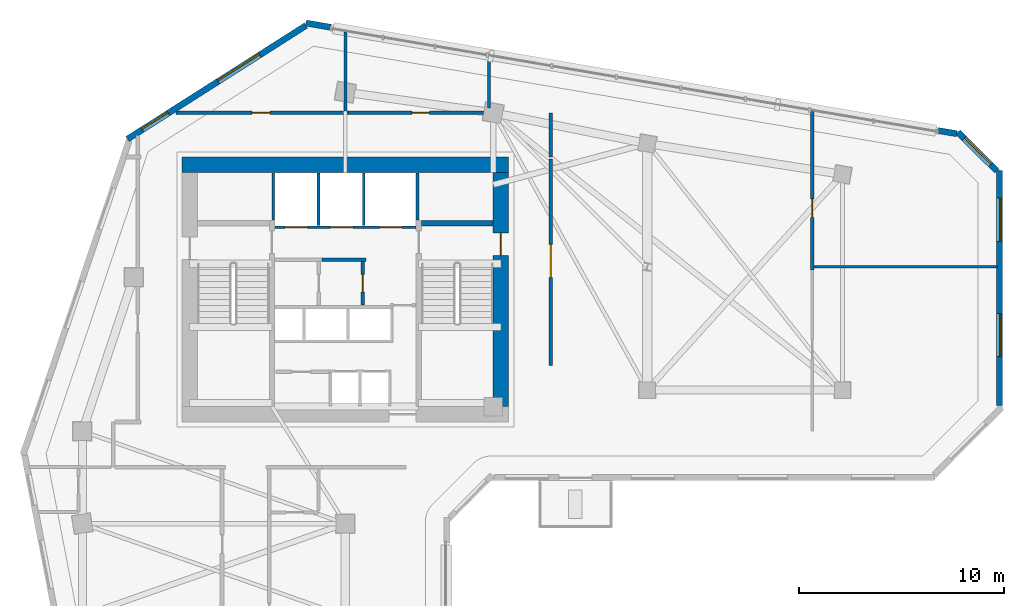
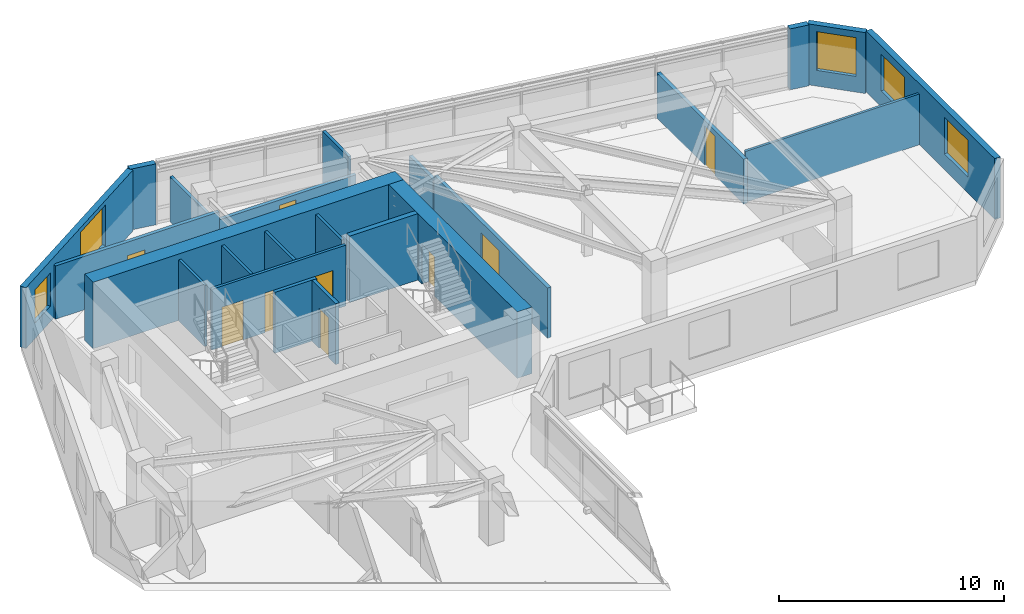
# One storey, part 7 of 12: 23 walls, 9 doors, 5 windows, 14 openings.
"""IFC4 building model written with IfcOpenShell, lengths in metres."""

from ifc_helpers import new_model, si_unit, direction, frame, frame_2d, origin, place, context, subcontext, project, spatial, rectangle, extrude, source, transform, mapped, material, layer, layer_set, type_object, element, fill, save


model = new_model("IFC4")

# Units and contexts
model_context = context("Model", 3, precision=1e-05, world=origin(), true_north=direction((0.0, 1.0)))
body_context = subcontext(model_context, "Body", "Model", "MODEL_VIEW")
ifc_project = project(units=[si_unit("LENGTHUNIT", "METRE"), si_unit("AREAUNIT", "SQUARE_METRE"), si_unit("VOLUMEUNIT", "CUBIC_METRE"), si_unit("PLANEANGLEUNIT", "RADIAN"), si_unit("MASSUNIT", "GRAM", prefix="KILO")], contexts=[model_context])

# Site, building, storey
site_placement = place(None, origin())
site = spatial("IfcSite", under=ifc_project, at=site_placement, CompositionType="ELEMENT")
building_placement = place(site_placement, origin())
building = spatial("IfcBuilding", under=site, at=building_placement, Name="Calvemar Wedge Station Tower", CompositionType="ELEMENT")
storey_placement = place(building_placement, frame((0.0, 0.0, 135.800048828125)))
storey = spatial("IfcBuildingStorey", under=building, at=storey_placement, Name="L33", CompositionType="ELEMENT", Elevation=135.800048828125)

# Walls
ifc_material_1 = material(Name="Concrete C50", Category="concrete")
ifc_layer_1 = layer(ifc_material_1, 0.260009765625)
ifc_layer_set_1 = layer_set([ifc_layer_1], Name="Concrete C50")
wall_type_1 = type_object("IfcWallType", Name="SW-CORE-260", PredefinedType="SHEAR", material=ifc_layer_set_1)
wall_1_placement = place(storey_placement, frame((27.5, 43.1298828125, 0.0), z_axis=(0.0, 0.0, 1.0), x_axis=(1.0, 0.0, 0.0)))
element("IfcWall", 1, at=wall_1_placement, inside=storey, type_object=wall_type_1, Name="Storey L33 Core Shear Wall STC2-N", PredefinedType="SHEAR", context=body_context, shape_type="SweptSolid", body=[
    extrude(rectangle(XDim=3.5, YDim=0.260009765625, at=frame_2d((1.75, 0.0))), origin(), (0.0, 0.0, 1.0), 3.599853515625),
])
ifc_material_2 = material(Name="Concrete C70", Category="concrete")
ifc_layer_2 = layer(ifc_material_2, 0.75)
ifc_layer_set_2 = layer_set([ifc_layer_2], Name="Concrete C70")
wall_type_2 = type_object("IfcWallType", Name="SW-CORE-750", PredefinedType="SHEAR", material=ifc_layer_set_2)
wall_2_placement = place(storey_placement, frame((15.85009765625, 45.97509765625, 0.0), z_axis=(0.0, 0.0, 1.0), x_axis=(1.0, 0.0, 0.0)))
element("IfcWall", 2, at=wall_2_placement, inside=storey, type_object=wall_type_2, Name="Storey L33 Core Shear Wall N", PredefinedType="SHEAR", context=body_context, shape_type="SweptSolid", body=[
    extrude(rectangle(XDim=15.89990234375, YDim=0.75, at=frame_2d((7.949951171875, 0.0))), origin(), (0.0, 0.0, 1.0), 3.599853515625),
])

# Wall, opening, door
wall_3_placement = place(storey_placement, frame((31.375, 34.199951171875, 0.0), z_axis=(0.0, 0.0, 1.0), x_axis=(0.0, 1.0, 0.0)))
wall_3 = element("IfcWall", 3, at=wall_3_placement, inside=storey, type_object=wall_type_2, Name="Storey L33 Core Shear Wall E", PredefinedType="SHEAR", context=body_context, shape_type="SweptSolid", body=[
    extrude(rectangle(XDim=11.400146484375, YDim=0.75, at=frame_2d((5.7001953125, 0.0))), origin(), (0.0, 0.0, 1.0), 3.599853515625),
])
shared_shape_1 = source(origin(), body_context, "Body", "SweptSolid", [
    extrude(rectangle(XDim=1.10009765625, YDim=2.14990234375, at=frame_2d((0.550048828125, 1.074951171875))), frame((0.0, 0.385009765625, 0.0), z_axis=(0.0, -1.0, 0.0), x_axis=(1.0, 0.0, 0.0)), (0.0, 0.0, 1.0), 0.77001953125),
])
opening_1_placement = place(wall_3_placement, frame((7.35009765625, 0.0, 0.0)))
opening_1 = element("IfcOpeningElement", 4, at=opening_1_placement, cuts=wall_3, Name="Opening FD-90", PredefinedType="OPENING", context=body_context, shape_type="MappedRepresentation", body=[
    mapped(shared_shape_1, transform((0.0, 0.0, 0.0), scale=1.0)),
])
ifc_material_3 = material(Name="Galvanized fire-rated steel door leaf P-90", Category="steel")
door_type_1 = type_object("IfcDoorType", Name="DR-FD90-1100", OperationType="NOTDEFINED", PredefinedType="DOOR", material=ifc_material_3)
shared_shape_2 = source(origin(), body_context, "Body", "SweptSolid", [
    extrude(rectangle(XDim=1.10009765625, YDim=2.14990234375, at=frame_2d((0.550048828125, 1.074951171875))), frame((0.0, 0.02490234375, 0.0), z_axis=(0.0, -1.0, 0.0), x_axis=(1.0, 0.0, 0.0)), (0.0, 0.0, 1.0), 0.050048828125),
])
door_1_placement = place(opening_1_placement, origin())
door_1 = element("IfcDoor", 5, at=door_1_placement, inside=storey, type_object=door_type_1, Name="L33 East Corridor to Exit Stair ST-C2 Door", OperationType="SINGLE_SWING_RIGHT", OverallHeight=2.14990234375, OverallWidth=1.10009765625, PredefinedType="DOOR", context=body_context, shape_type="MappedRepresentation", body=[
    mapped(shared_shape_2, transform((0.0, 0.0, 0.0), scale=1.0)),
])
fill(opening_1, door_1)

# Wall
ifc_material_4 = material(Name="Double-stud fire-rated corridor partition")
ifc_layer_3 = layer(ifc_material_4, 0.179931640625)
ifc_layer_set_3 = layer_set([ifc_layer_3], Name="Double-stud fire-rated corridor partition")
wall_type_3 = type_object("IfcWallType", Name="W-CORR-180", PredefinedType="PARTITIONING", material=ifc_layer_set_3)
wall_4_placement = place(storey_placement, frame((24.81005859375, 41.35009765625, 0.0), z_axis=(0.0, 0.0, 1.0), x_axis=(-1.0, 0.0, 0.0)))
element("IfcWall", 6, at=wall_4_placement, inside=storey, type_object=wall_type_3, Name="Storey L33 Interior Partition WL-L33-002", PredefinedType="PARTITIONING", context=body_context, shape_type="SweptSolid", body=[
    extrude(rectangle(XDim=2.14794921875, YDim=0.179931640625, at=frame_2d((1.073974609375, 0.0))), origin(), (0.0, 0.0, 1.0), 3.300048828125),
])

# Wall, opening, door
wall_5_placement = place(storey_placement, frame((24.64990234375, 41.256103515625, 0.0), z_axis=(0.0, 0.0, 1.0), x_axis=(0.0, -1.0, 0.0)))
wall_5 = element("IfcWall", 7, at=wall_5_placement, inside=storey, type_object=wall_type_3, Name="Storey L33 Interior Partition WL-L33-004", PredefinedType="PARTITIONING", context=body_context, shape_type="SweptSolid", body=[
    extrude(rectangle(XDim=2.106201171875, YDim=0.179931640625, at=frame_2d((1.05322265625, 0.0))), origin(), (0.0, 0.0, 1.0), 3.300048828125),
])
shared_shape_3 = source(origin(), body_context, "Body", "SweptSolid", [
    extrude(rectangle(XDim=0.85009765625, YDim=2.14990234375, at=frame_2d((0.425048828125, 1.074951171875))), frame((0.0, 0.10009765625, 0.0), z_axis=(0.0, -1.0, 0.0), x_axis=(1.0, 0.0, 0.0)), (0.0, 0.0, 1.0), 0.199951171875),
])
opening_2_placement = place(wall_5_placement, frame((0.6279296875, 0.0, 0.0)))
opening_2 = element("IfcOpeningElement", 8, at=opening_2_placement, cuts=wall_5, Name="Opening FD-60S", PredefinedType="OPENING", context=body_context, shape_type="MappedRepresentation", body=[
    mapped(shared_shape_3, transform((0.0, 0.0, 0.0), scale=1.0)),
])
ifc_material_5 = material(Name="Fire-rated steel and hardwood service door EI 60", Category="steel")
door_type_2 = type_object("IfcDoorType", Name="DR-CORE-FD60-850", OperationType="NOTDEFINED", PredefinedType="DOOR", material=ifc_material_5)
shared_shape_4 = source(origin(), body_context, "Body", "SweptSolid", [
    extrude(rectangle(XDim=0.85009765625, YDim=2.14990234375, at=frame_2d((0.425048828125, 1.074951171875))), frame((0.0, 0.02490234375, 0.0), z_axis=(0.0, -1.0, 0.0), x_axis=(1.0, 0.0, 0.0)), (0.0, 0.0, 1.0), 0.050048828125),
])
door_2_placement = place(opening_2_placement, origin())
door_2 = element("IfcDoor", 9, at=door_2_placement, inside=storey, type_object=door_type_2, Name="L33 Core Equipment Store Door", OperationType="SINGLE_SWING_RIGHT", OverallHeight=2.14990234375, OverallWidth=0.85009765625, PredefinedType="DOOR", context=body_context, shape_type="MappedRepresentation", body=[
    mapped(shared_shape_4, transform((0.0, 0.0, 0.0), scale=1.0)),
])
fill(opening_2, door_2)

wall_6_placement = place(storey_placement, frame((15.552490234375, 48.5, 0.0), z_axis=(0.0, 0.0, 1.0), x_axis=(1.0, 0.0, 0.0)))
wall_6 = element("IfcWall", 10, at=wall_6_placement, inside=storey, type_object=wall_type_3, Name="Storey L33 Interior Partition WL-L33-014", PredefinedType="PARTITIONING", context=body_context, shape_type="SweptSolid", body=[
    extrude(rectangle(XDim=8.407470703125, YDim=0.179931640625, at=frame_2d((4.20361328125, 0.0))), origin(), (0.0, 0.0, 1.0), 2.885009765625),
])
shared_shape_5 = source(origin(), body_context, "Body", "SweptSolid", [
    extrude(rectangle(XDim=0.89990234375, YDim=2.14990234375, at=frame_2d((0.449951171875, 1.074951171875))), frame((0.0, 0.10009765625, 0.0), z_axis=(0.0, -1.0, 0.0), x_axis=(1.0, 0.0, 0.0)), (0.0, 0.0, 1.0), 0.199951171875),
])
opening_3_placement = place(wall_6_placement, frame((3.69287109375, 0.0, 0.0)))
opening_3 = element("IfcOpeningElement", 11, at=opening_3_placement, cuts=wall_6, Name="Opening D-01", PredefinedType="OPENING", context=body_context, shape_type="MappedRepresentation", body=[
    mapped(shared_shape_5, transform((0.0, 0.0, 0.0), scale=1.0)),
])
ifc_material_6 = material(Name="Architectural hardwood acoustic swing door", Category="wood")
door_type_3 = type_object("IfcDoorType", Name="DR-INT-900", OperationType="NOTDEFINED", PredefinedType="DOOR", material=ifc_material_6)
shared_shape_6 = source(origin(), body_context, "Body", "SweptSolid", [
    extrude(rectangle(XDim=0.89990234375, YDim=2.14990234375, at=frame_2d((0.449951171875, 1.074951171875))), frame((0.0, 0.02490234375, 0.0), z_axis=(0.0, -1.0, 0.0), x_axis=(1.0, 0.0, 0.0)), (0.0, 0.0, 1.0), 0.050048828125),
])
door_3_placement = place(opening_3_placement, origin())
door_3 = element("IfcDoor", 12, at=door_3_placement, inside=storey, type_object=door_type_3, Name="L33 Guest Pantry Door", OperationType="SINGLE_SWING_RIGHT", OverallHeight=2.14990234375, OverallWidth=0.89990234375, PredefinedType="DOOR", context=body_context, shape_type="MappedRepresentation", body=[
    mapped(shared_shape_6, transform((0.0, 0.0, 0.0), scale=1.0)),
])
fill(opening_3, door_3)

wall_7_placement = place(storey_placement, frame((23.9619140625, 48.5, 0.0), z_axis=(0.0, 0.0, 1.0), x_axis=(1.0, 0.0, 0.0)))
wall_7 = element("IfcWall", 13, at=wall_7_placement, inside=storey, type_object=wall_type_3, Name="Storey L33 Interior Partition WL-L33-015", PredefinedType="PARTITIONING", context=body_context, shape_type="SweptSolid", body=[
    extrude(rectangle(XDim=6.998046875, YDim=0.179931640625, at=frame_2d((3.4990234375, 0.0))), origin(), (0.0, 0.0, 1.0), 2.44189453125),
])
opening_4_placement = place(wall_7_placement, frame((3.073974609375, 0.0, 0.0)))
opening_4 = element("IfcOpeningElement", 14, at=opening_4_placement, cuts=wall_7, Name="Opening D-02", PredefinedType="OPENING", context=body_context, shape_type="MappedRepresentation", body=[
    mapped(shared_shape_3, transform((0.0, 0.0, 0.0), scale=1.0)),
])
ifc_material_7 = material(Name="Moisture-sealed bathroom hardwood swing door", Category="wood")
door_type_4 = type_object("IfcDoorType", Name="DR-WET-850", OperationType="NOTDEFINED", PredefinedType="DOOR", material=ifc_material_7)
shared_shape_7 = source(origin(), body_context, "Body", "SweptSolid", [
    extrude(rectangle(XDim=0.85009765625, YDim=2.14990234375, at=frame_2d((0.425048828125, 1.074951171875))), frame((0.0, 0.02490234375, 0.0), z_axis=(0.0, -1.0, 0.0), x_axis=(1.0, 0.0, 0.0)), (0.0, 0.0, 1.0), 0.050048828125),
])
door_4_placement = place(opening_4_placement, origin())
door_4 = element("IfcDoor", 15, at=door_4_placement, inside=storey, type_object=door_type_4, Name="L33 Accessible WC Door", OperationType="SINGLE_SWING_LEFT", OverallHeight=2.14990234375, OverallWidth=0.85009765625, PredefinedType="DOOR", context=body_context, shape_type="MappedRepresentation", body=[
    mapped(shared_shape_7, transform((0.0, 0.0, 0.0), scale=1.0)),
])
fill(opening_4, door_4)

# Wall
wall_8_placement = place(storey_placement, frame((33.800048828125, 48.5, 0.0), z_axis=(0.0, 0.0, 1.0), x_axis=(0.0, -1.0, 0.0)))
element("IfcWall", 16, at=wall_8_placement, inside=storey, type_object=wall_type_3, Name="Storey L33 Interior Partition WL-L33-016", PredefinedType="PARTITIONING", context=body_context, shape_type="SweptSolid", body=[
    extrude(rectangle(XDim=2.14990234375, YDim=0.179931640625, at=frame_2d((1.074951171875, 0.0))), origin(), (0.0, 0.0, 1.0), 2.44189453125),
])

# Wall, opening, door
wall_9_placement = place(storey_placement, frame((33.800048828125, 46.256103515625, 0.0), z_axis=(0.0, 0.0, 1.0), x_axis=(0.0, -1.0, 0.0)))
wall_9 = element("IfcWall", 17, at=wall_9_placement, inside=storey, type_object=wall_type_3, Name="Storey L33 Interior Partition WL-L33-017", PredefinedType="PARTITIONING", context=body_context, shape_type="SweptSolid", body=[
    extrude(rectangle(XDim=10.05615234375, YDim=0.179931640625, at=frame_2d((5.028076171875, 0.0))), origin(), (0.0, 0.0, 1.0), 2.738037109375),
])
shared_shape_8 = source(origin(), body_context, "Body", "SweptSolid", [
    extrude(rectangle(XDim=1.60009765625, YDim=2.14990234375, at=frame_2d((0.800048828125, 1.074951171875))), frame((0.0, 0.10009765625, 0.0), z_axis=(0.0, -1.0, 0.0), x_axis=(1.0, 0.0, 0.0)), (0.0, 0.0, 1.0), 0.199951171875),
])
opening_5_placement = place(wall_9_placement, frame((4.167236328125, 0.0, 0.0)))
opening_5 = element("IfcOpeningElement", 18, at=opening_5_placement, cuts=wall_9, Name="Opening DD-160", PredefinedType="OPENING", context=body_context, shape_type="MappedRepresentation", body=[
    mapped(shared_shape_8, transform((0.0, 0.0, 0.0), scale=1.0)),
])
ifc_material_8 = material(Name="Double-leaf fire-rated lobby door EI 60")
door_type_5 = type_object("IfcDoorType", Name="DR-DBL-1600", OperationType="DOUBLE_DOOR_SINGLE_SWING", PredefinedType="DOOR", material=ifc_material_8)
shared_shape_9 = source(origin(), body_context, "Body", "SweptSolid", [
    extrude(rectangle(XDim=1.60009765625, YDim=2.14990234375, at=frame_2d((0.800048828125, 1.074951171875))), frame((0.0, 0.02490234375, 0.0), z_axis=(0.0, -1.0, 0.0), x_axis=(1.0, 0.0, 0.0)), (0.0, 0.0, 1.0), 0.050048828125),
])
door_5_placement = place(opening_5_placement, origin())
door_5 = element("IfcDoor", 19, at=door_5_placement, inside=storey, type_object=door_type_5, Name="L33 Hotel Conference Banquet Hall Door", OperationType="SINGLE_SWING_RIGHT", OverallHeight=2.14990234375, OverallWidth=1.60009765625, PredefinedType="DOOR", context=body_context, shape_type="MappedRepresentation", body=[
    mapped(shared_shape_9, transform((0.0, 0.0, 0.0), scale=1.0)),
])
fill(opening_5, door_5)

wall_10_placement = place(storey_placement, frame((46.534912109375, 48.55859375, 0.0), z_axis=(0.0, 0.0, 1.0), x_axis=(0.0, -1.0, 0.0)))
wall_10 = element("IfcWall", 20, at=wall_10_placement, inside=storey, type_object=wall_type_3, Name="Storey L33 Interior Partition WL-L33-021", PredefinedType="PARTITIONING", context=body_context, shape_type="SweptSolid", body=[
    extrude(rectangle(XDim=7.718505859375, YDim=0.179931640625, at=frame_2d((3.859375, 0.0))), origin(), (0.0, 0.0, 1.0), 2.44189453125),
])
opening_6_placement = place(wall_10_placement, frame((4.251953125, 0.0, 0.0)))
opening_6 = element("IfcOpeningElement", 21, at=opening_6_placement, cuts=wall_10, Name="Opening FD-60", PredefinedType="OPENING", context=body_context, shape_type="MappedRepresentation", body=[
    mapped(shared_shape_5, transform((0.0, 0.0, 0.0), scale=1.0)),
])
ifc_material_9 = material(Name="Fire-rated acoustic timber-core entrance door EI 60", Category="wood")
door_type_6 = type_object("IfcDoorType", Name="DR-FD60-900", OperationType="NOTDEFINED", PredefinedType="DOOR", material=ifc_material_9)
shared_shape_10 = source(origin(), body_context, "Body", "SweptSolid", [
    extrude(rectangle(XDim=0.89990234375, YDim=2.14990234375, at=frame_2d((0.449951171875, 1.074951171875))), frame((0.0, 0.02490234375, 0.0), z_axis=(0.0, -1.0, 0.0), x_axis=(1.0, 0.0, 0.0)), (0.0, 0.0, 1.0), 0.050048828125),
])
door_6_placement = place(opening_6_placement, origin())
door_6 = element("IfcDoor", 22, at=door_6_placement, inside=storey, type_object=door_type_6, Name="L33 Banquet Service Kitchen Door", OperationType="SINGLE_SWING_LEFT", OverallHeight=2.14990234375, OverallWidth=0.89990234375, PredefinedType="DOOR", context=body_context, shape_type="MappedRepresentation", body=[
    mapped(shared_shape_10, transform((0.0, 0.0, 0.0), scale=1.0)),
])
fill(opening_6, door_6)

# Wall, openings, windows
ifc_material_10 = material(Name="Precast concrete C45", Category="concrete")
ifc_layer_4 = layer(ifc_material_10, 0.300048828125)
ifc_layer_set_4 = layer_set([ifc_layer_4], Name="Precast concrete C45")
wall_type_4 = type_object("IfcWallType", Name="W-EXT-GFRC-300", PredefinedType="SOLIDWALL", material=ifc_layer_set_4)
wall_11_placement = place(storey_placement, frame((55.64990234375, 34.249267578125, 0.0), z_axis=(0.0, 0.0, 1.0), x_axis=(0.0, 1.0, 0.0)))
wall_11 = element("IfcWall", 23, at=wall_11_placement, inside=storey, type_object=wall_type_4, Name="Storey L33 Bronze GFRC Exterior Wall 8", PredefinedType="SOLIDWALL", context=body_context, shape_type="SweptSolid", body=[
    extrude(rectangle(XDim=11.4306640625, YDim=0.300048828125, at=frame_2d((5.71533203125, 0.0))), origin(), (0.0, 0.0, 1.0), 3.300048828125),
])
shared_shape_11 = source(origin(), body_context, "Body", "SweptSolid", [
    extrude(rectangle(XDim=2.10009765625, YDim=2.0, at=frame_2d((1.050048828125, 1.0))), frame((0.0, 0.16015625, 0.0), z_axis=(0.0, -1.0, 0.0), x_axis=(1.0, 0.0, 0.0)), (0.0, 0.0, 1.0), 0.320068359375),
])
opening_7_placement = place(wall_11_placement, frame((2.375, 0.0, 0.85009765625)))
opening_7 = element("IfcOpeningElement", 24, at=opening_7_placement, cuts=wall_11, Name="Opening W4", PredefinedType="OPENING", context=body_context, shape_type="MappedRepresentation", body=[
    mapped(shared_shape_11, transform((0.0, 0.0, 0.0), scale=1.0)),
])
opening_8_placement = place(wall_11_placement, frame((7.990966796875, 0.0, 0.85009765625)))
opening_8 = element("IfcOpeningElement", 25, at=opening_8_placement, cuts=wall_11, Name="Opening W4", PredefinedType="OPENING", context=body_context, shape_type="MappedRepresentation", body=[
    mapped(shared_shape_11, transform((0.0, 0.0, 0.0), scale=1.0)),
])
ifc_material_11 = material(Name="Low-E laminated insulated glass", Category="glass")
window_type_1 = type_object("IfcWindowType", Name="WIN-EXT-4", PartitioningType="SINGLE_PANEL", PredefinedType="WINDOW", material=ifc_material_11)
shared_shape_12 = source(origin(), body_context, "Body", "SweptSolid", [
    extrude(rectangle(XDim=2.10009765625, YDim=2.0, at=frame_2d((1.050048828125, 1.0))), frame((0.0, -0.014892578125, 0.0), z_axis=(0.0, -1.0, 0.0), x_axis=(1.0, 0.0, 0.0)), (0.0, 0.0, 1.0), 0.06005859375),
])
window_1_placement = place(opening_7_placement, origin())
window_1 = element("IfcWindow", 26, at=window_1_placement, inside=storey, type_object=window_type_1, Name="Storey L33 Recessed Window 8.1", OverallHeight=2.0, OverallWidth=2.10009765625, PartitioningType="SINGLE_PANEL", PredefinedType="WINDOW", context=body_context, shape_type="MappedRepresentation", body=[
    mapped(shared_shape_12, transform((0.0, 0.0, 0.0), scale=1.0)),
])
fill(opening_7, window_1)
window_2_placement = place(opening_8_placement, origin())
window_2 = element("IfcWindow", 27, at=window_2_placement, inside=storey, type_object=window_type_1, Name="Storey L33 Recessed Window 8.2", OverallHeight=2.0, OverallWidth=2.10009765625, PartitioningType="SINGLE_PANEL", PredefinedType="WINDOW", context=body_context, shape_type="MappedRepresentation", body=[
    mapped(shared_shape_12, transform((0.0, 0.0, 0.0), scale=1.0)),
])
fill(opening_8, window_2)

# Wall, opening, window
wall_12_placement = place(storey_placement, frame((55.511962890625, 45.66796875, 0.0), z_axis=(0.0, 0.0, 1.0), x_axis=(-0.707152443695, 0.707061115729, 0.0)))
wall_12 = element("IfcWall", 28, at=wall_12_placement, inside=storey, type_object=wall_type_4, Name="Storey L33 Bronze GFRC Exterior Wall 9", PredefinedType="SOLIDWALL", context=body_context, shape_type="SweptSolid", body=[
    extrude(rectangle(XDim=2.67333984375, YDim=0.300048828125, at=frame_2d((1.336669921875, 0.0))), origin(), (0.0, 0.0, 1.0), 3.300048828125),
])
shared_shape_13 = source(origin(), body_context, "Body", "SweptSolid", [
    extrude(rectangle(XDim=1.800048828125, YDim=2.10009765625, at=frame_2d((0.89990234375, 1.050048828125))), frame((0.0, 0.16015625, 0.0), z_axis=(0.0, -1.0, 0.0), x_axis=(1.0, 0.0, 0.0)), (0.0, 0.0, 1.0), 0.320068359375),
])
opening_9_placement = place(wall_12_placement, frame((0.43701171875, 0.0, 0.85009765625)))
opening_9 = element("IfcOpeningElement", 29, at=opening_9_placement, cuts=wall_12, Name="Opening W2", PredefinedType="OPENING", context=body_context, shape_type="MappedRepresentation", body=[
    mapped(shared_shape_13, transform((0.0, 0.0, 0.0), scale=1.0)),
])
window_type_2 = type_object("IfcWindowType", Name="WIN-EXT-2", PartitioningType="SINGLE_PANEL", PredefinedType="WINDOW", material=ifc_material_11)
shared_shape_14 = source(origin(), body_context, "Body", "SweptSolid", [
    extrude(rectangle(XDim=1.800048828125, YDim=2.10009765625, at=frame_2d((0.89990234375, 1.050048828125))), frame((0.0, -0.014892578125, 0.0), z_axis=(0.0, -1.0, 0.0), x_axis=(1.0, 0.0, 0.0)), (0.0, 0.0, 1.0), 0.06005859375),
])
window_3_placement = place(opening_9_placement, origin())
window_3 = element("IfcWindow", 30, at=window_3_placement, inside=storey, type_object=window_type_2, Name="Storey L33 Recessed Window 9.1", OverallHeight=2.10009765625, OverallWidth=1.800048828125, PartitioningType="SINGLE_PANEL", PredefinedType="WINDOW", context=body_context, shape_type="MappedRepresentation", body=[
    mapped(shared_shape_14, transform((0.0, 0.0, 0.0), scale=1.0)),
])
fill(opening_9, window_3)

# Walls
wall_13_placement = place(storey_placement, frame((53.56103515625, 47.48046875, 0.0), z_axis=(0.0, 0.0, 1.0), x_axis=(-0.985836300899, 0.167710428506, 0.0)))
element("IfcWall", 31, at=wall_13_placement, inside=storey, type_object=wall_type_4, Name="Storey L33 Bronze GFRC Corner Pier 10A", PredefinedType="SOLIDWALL", context=body_context, shape_type="SweptSolid", body=[
    extrude(rectangle(XDim=0.908447265625, YDim=0.300048828125, at=frame_2d((0.4541015625, 0.0))), origin(), (0.0, 0.0, 1.0), 3.300048828125),
])
wall_14_placement = place(storey_placement, frame((23.093994140625, 52.661865234375, 0.0), z_axis=(0.0, 0.0, 1.0), x_axis=(-0.985845658291, 0.167655414553, 0.0)))
element("IfcWall", 32, at=wall_14_placement, inside=storey, type_object=wall_type_4, Name="Storey L33 Bronze GFRC Corner Pier 10B", PredefinedType="SOLIDWALL", context=body_context, shape_type="SweptSolid", body=[
    extrude(rectangle(XDim=1.2275390625, YDim=0.300048828125, at=frame_2d((0.61376953125, 0.0))), origin(), (0.0, 0.0, 1.0), 3.300048828125),
])

# Wall, openings, windows
wall_15_placement = place(storey_placement, frame((21.874755859375, 52.742431640625, 0.0), z_axis=(0.0, 0.0, 1.0), x_axis=(-0.843662465249, -0.536873956092, 0.0)))
wall_15 = element("IfcWall", 33, at=wall_15_placement, inside=storey, type_object=wall_type_4, Name="Storey L33 Bronze GFRC Exterior Wall 11", PredefinedType="SOLIDWALL", context=body_context, shape_type="SweptSolid", body=[
    extrude(rectangle(XDim=10.283935546875, YDim=0.300048828125, at=frame_2d((5.14208984375, 0.0))), origin(), (0.0, 0.0, 1.0), 3.300048828125),
])
shared_shape_15 = source(origin(), body_context, "Body", "SweptSolid", [
    extrude(rectangle(XDim=2.39990234375, YDim=2.199951171875, at=frame_2d((1.199951171875, 1.10009765625))), frame((0.0, 0.16015625, 0.0), z_axis=(0.0, -1.0, 0.0), x_axis=(1.0, 0.0, 0.0)), (0.0, 0.0, 1.0), 0.320068359375),
])
opening_10_placement = place(wall_15_placement, frame((2.656005859375, 0.0, 0.85009765625)))
opening_10 = element("IfcOpeningElement", 34, at=opening_10_placement, cuts=wall_15, Name="Opening W1", PredefinedType="OPENING", context=body_context, shape_type="MappedRepresentation", body=[
    mapped(shared_shape_15, transform((0.0, 0.0, 0.0), scale=1.0)),
])
shared_shape_16 = source(origin(), body_context, "Body", "SweptSolid", [
    extrude(rectangle(XDim=1.5, YDim=1.800048828125, at=frame_2d((0.75, 0.89990234375))), frame((0.0, 0.16015625, 0.0), z_axis=(0.0, -1.0, 0.0), x_axis=(1.0, 0.0, 0.0)), (0.0, 0.0, 1.0), 0.320068359375),
])
opening_11_placement = place(wall_15_placement, frame((7.93701171875, 0.0, 0.85009765625)))
opening_11 = element("IfcOpeningElement", 35, at=opening_11_placement, cuts=wall_15, Name="Opening W3", PredefinedType="OPENING", context=body_context, shape_type="MappedRepresentation", body=[
    mapped(shared_shape_16, transform((0.0, 0.0, 0.0), scale=1.0)),
])
window_type_3 = type_object("IfcWindowType", Name="WIN-EXT-1", PartitioningType="SINGLE_PANEL", PredefinedType="WINDOW", material=ifc_material_11)
shared_shape_17 = source(origin(), body_context, "Body", "SweptSolid", [
    extrude(rectangle(XDim=2.39990234375, YDim=2.199951171875, at=frame_2d((1.199951171875, 1.10009765625))), frame((0.0, -0.014892578125, 0.0), z_axis=(0.0, -1.0, 0.0), x_axis=(1.0, 0.0, 0.0)), (0.0, 0.0, 1.0), 0.06005859375),
])
window_4_placement = place(opening_10_placement, origin())
window_4 = element("IfcWindow", 36, at=window_4_placement, inside=storey, type_object=window_type_3, Name="Storey L33 Recessed Window 11.1", OverallHeight=2.199951171875, OverallWidth=2.39990234375, PartitioningType="SINGLE_PANEL", PredefinedType="WINDOW", context=body_context, shape_type="MappedRepresentation", body=[
    mapped(shared_shape_17, transform((0.0, 0.0, 0.0), scale=1.0)),
])
fill(opening_10, window_4)
window_type_4 = type_object("IfcWindowType", Name="WIN-EXT-3", PartitioningType="SINGLE_PANEL", PredefinedType="WINDOW", material=ifc_material_11)
shared_shape_18 = source(origin(), body_context, "Body", "SweptSolid", [
    extrude(rectangle(XDim=1.5, YDim=1.800048828125, at=frame_2d((0.75, 0.89990234375))), frame((0.0, -0.014892578125, 0.0), z_axis=(0.0, -1.0, 0.0), x_axis=(1.0, 0.0, 0.0)), (0.0, 0.0, 1.0), 0.06005859375),
])
window_5_placement = place(opening_11_placement, origin())
window_5 = element("IfcWindow", 37, at=window_5_placement, inside=storey, type_object=window_type_4, Name="Storey L33 Recessed Window 11.2", OverallHeight=1.800048828125, OverallWidth=1.5, PartitioningType="SINGLE_PANEL", PredefinedType="WINDOW", context=body_context, shape_type="MappedRepresentation", body=[
    mapped(shared_shape_18, transform((0.0, 0.0, 0.0), scale=1.0)),
])
fill(opening_11, window_5)

# Wall, openings, doors
ifc_material_12 = material(Name="Reinforced concrete blockwork lift shaft wall", Category="masonry")
ifc_layer_5 = layer(ifc_material_12, 0.139892578125)
ifc_layer_set_5 = layer_set([ifc_layer_5], Name="Reinforced concrete blockwork lift shaft wall")
wall_type_5 = type_object("IfcWallType", Name="W-LIFT-160", PredefinedType="SOLIDWALL", material=ifc_layer_set_5)
wall_16_placement = place(storey_placement, frame((20.3701171875, 42.929931640625, 0.0), z_axis=(0.0, 0.0, 1.0), x_axis=(1.0, 0.0, 0.0)))
wall_16 = element("IfcWall", 38, at=wall_16_placement, inside=storey, type_object=wall_type_5, Name="Storey L33 Firefighting and Service Lift Shaft Front Wall", PredefinedType="SOLIDWALL", context=body_context, shape_type="SweptSolid", body=[
    extrude(rectangle(XDim=6.85986328125, YDim=0.139892578125, at=frame_2d((3.429931640625, 0.0))), origin(), (0.0, 0.0, 1.0), 3.300048828125),
])
shared_shape_19 = source(origin(), body_context, "Body", "SweptSolid", [
    extrude(rectangle(XDim=1.10009765625, YDim=2.14990234375, at=frame_2d((0.550048828125, 1.074951171875))), frame((0.0, 0.080078125, 0.0), z_axis=(0.0, -1.0, 0.0), x_axis=(1.0, 0.0, 0.0)), (0.0, 0.0, 1.0), 0.159912109375),
])
opening_12_placement = place(wall_16_placement, frame((0.5, 0.0, 0.0)))
opening_12 = element("IfcOpeningElement", 39, at=opening_12_placement, cuts=wall_16, Name="Opening LD-FF", PredefinedType="OPENING", context=body_context, shape_type="MappedRepresentation", body=[
    mapped(shared_shape_19, transform((0.0, 0.0, 0.0), scale=1.0)),
])
opening_13_placement = place(wall_16_placement, frame((2.699951171875, 0.0, 0.0)))
opening_13 = element("IfcOpeningElement", 40, at=opening_13_placement, cuts=wall_16, Name="Opening LD-FF", PredefinedType="OPENING", context=body_context, shape_type="MappedRepresentation", body=[
    mapped(shared_shape_19, transform((0.0, 0.0, 0.0), scale=1.0)),
])
opening_14_placement = place(wall_16_placement, frame((5.10009765625, 0.0, 0.0)))
opening_14 = element("IfcOpeningElement", 41, at=opening_14_placement, cuts=wall_16, Name="Opening LD-STN", PredefinedType="OPENING", context=body_context, shape_type="MappedRepresentation", body=[
    mapped(shared_shape_19, transform((0.0, 0.0, 0.0), scale=1.0)),
])
ifc_material_13 = material(Name="Stainless steel firefighting lift sliding landing door", Category="steel")
door_type_7 = type_object("IfcDoorType", Name="DR-LD-FF-1100", OperationType="SLIDING_TO_LEFT", PredefinedType="DOOR", material=ifc_material_13)
shared_shape_20 = source(origin(), body_context, "Body", "SweptSolid", [
    extrude(rectangle(XDim=1.10009765625, YDim=2.14990234375, at=frame_2d((0.550048828125, 1.074951171875))), frame((0.0, 0.02490234375, 0.0), z_axis=(0.0, -1.0, 0.0), x_axis=(1.0, 0.0, 0.0)), (0.0, 0.0, 1.0), 0.050048828125),
])
door_7_placement = place(opening_12_placement, origin())
door_7 = element("IfcDoor", 42, at=door_7_placement, inside=storey, type_object=door_type_7, Name="L33 Lift FF-01 Sliding Landing Door", OperationType="SLIDING_TO_LEFT", OverallHeight=2.14990234375, OverallWidth=1.10009765625, PredefinedType="DOOR", context=body_context, shape_type="MappedRepresentation", body=[
    mapped(shared_shape_20, transform((0.0, 0.0, 0.0), scale=1.0)),
])
fill(opening_12, door_7)
door_8_placement = place(opening_13_placement, origin())
door_8 = element("IfcDoor", 43, at=door_8_placement, inside=storey, type_object=door_type_7, Name="L33 Lift FF-02 Sliding Landing Door", OperationType="SLIDING_TO_RIGHT", OverallHeight=2.14990234375, OverallWidth=1.10009765625, PredefinedType="DOOR", context=body_context, shape_type="MappedRepresentation", body=[
    mapped(shared_shape_20, transform((0.0, 0.0, 0.0), scale=1.0)),
])
fill(opening_13, door_8)
ifc_material_14 = material(Name="Stainless steel transit lift sliding landing door", Category="steel")
door_type_8 = type_object("IfcDoorType", Name="DR-LD-PAX-1100", OperationType="SLIDING_TO_LEFT", PredefinedType="DOOR", material=ifc_material_14)
shared_shape_21 = source(origin(), body_context, "Body", "SweptSolid", [
    extrude(rectangle(XDim=1.10009765625, YDim=2.14990234375, at=frame_2d((0.550048828125, 1.074951171875))), frame((0.0, 0.02490234375, 0.0), z_axis=(0.0, -1.0, 0.0), x_axis=(1.0, 0.0, 0.0)), (0.0, 0.0, 1.0), 0.050048828125),
])
door_9_placement = place(opening_14_placement, origin())
door_9 = element("IfcDoor", 44, at=door_9_placement, inside=storey, type_object=door_type_8, Name="L33 Lift SV-01 Sliding Landing Door", OperationType="SLIDING_TO_LEFT", OverallHeight=2.14990234375, OverallWidth=1.10009765625, PredefinedType="DOOR", context=body_context, shape_type="MappedRepresentation", body=[
    mapped(shared_shape_21, transform((0.0, 0.0, 0.0), scale=1.0)),
])
fill(opening_14, door_9)

# Walls
for number, where, z_axis, x_axis, name in (
    (45, (20.2900390625, 43.280029296875, 0.0), (0.0, 0.0, 1.0), (0.0, 1.0, 0.0), "Storey L33 Firefighting Lift Shaft Enclosure Wall W"),
    (46, (27.31005859375, 43.280029296875, 0.0), (0.0, 0.0, 1.0), (0.0, 1.0, 0.0), "Storey L33 Firefighting Lift Shaft Enclosure Wall E"),
):
    element("IfcWall", number, at=place(storey_placement, frame(where, z_axis=z_axis, x_axis=x_axis)), inside=storey, type_object=wall_type_5, Name=name, PredefinedType="SOLIDWALL", context=body_context, shape_type="SweptSolid", body=[
        extrude(rectangle(XDim=2.300048828125, YDim=0.139892578125, at=frame_2d((1.14990234375, 0.0))), origin(), (0.0, 0.0, 1.0), 3.300048828125),
    ])
for number, where, z_axis, x_axis, name in (
    (47, (22.5, 43.02001953125, 0.0), (0.0, 0.0, 1.0), (0.0, 1.0, 0.0), "Storey L33 Firefighting Lift Shaft Enclosure Wall D1"),
    (48, (24.699951171875, 43.02001953125, 0.0), (0.0, 0.0, 1.0), (0.0, 1.0, 0.0), "Storey L33 Firefighting Lift Shaft Enclosure Wall D2"),
):
    element("IfcWall", number, at=place(storey_placement, frame(where, z_axis=z_axis, x_axis=x_axis)), inside=storey, type_object=wall_type_5, Name=name, PredefinedType="SOLIDWALL", context=body_context, shape_type="SweptSolid", body=[
        extrude(rectangle(XDim=2.56005859375, YDim=0.139892578125, at=frame_2d((1.280029296875, 0.0))), origin(), (0.0, 0.0, 1.0), 3.300048828125),
    ])
ifc_material_15 = material(Name="Insulated acoustic gypsum stud partition")
ifc_layer_6 = layer(ifc_material_15, 0.125)
ifc_layer_set_6 = layer_set([ifc_layer_6], Name="Insulated acoustic gypsum stud partition")
wall_type_6 = type_object("IfcWallType", Name="W-PART-125", PredefinedType="PARTITIONING", material=ifc_layer_set_6)
wall_17_placement = place(storey_placement, frame((55.534912109375, 41.0, 0.0), z_axis=(0.0, 0.0, 1.0), x_axis=(-1.0, 0.0, 0.0)))
element("IfcWall", 49, at=wall_17_placement, inside=storey, type_object=wall_type_6, Name="Storey L33 Interior Partition WL-L33-023", PredefinedType="PARTITIONING", context=body_context, shape_type="SweptSolid", body=[
    extrude(rectangle(XDim=8.933349609375, YDim=0.125, at=frame_2d((4.466796875, 0.0))), origin(), (0.0, 0.0, 1.0), 2.7529296875),
])
ifc_material_16 = material(Name="Moisture-resistant acoustic bathroom partition")
ifc_layer_7 = layer(ifc_material_16, 0.14990234375)
ifc_layer_set_7 = layer_set([ifc_layer_7], Name="Moisture-resistant acoustic bathroom partition")
wall_type_7 = type_object("IfcWallType", Name="W-WET-150", PredefinedType="PARTITIONING", material=ifc_layer_set_7)
wall_18_placement = place(storey_placement, frame((23.800048828125, 52.425048828125, 0.0), z_axis=(0.0, 0.0, 1.0), x_axis=(0.0, -1.0, 0.0)))
element("IfcWall", 50, at=wall_18_placement, inside=storey, type_object=wall_type_7, Name="Storey L33 Interior Partition WL-L33-020", PredefinedType="PARTITIONING", context=body_context, shape_type="SweptSolid", body=[
    extrude(rectangle(XDim=3.8310546875, YDim=0.14990234375, at=frame_2d((1.91552734375, 0.0))), origin(), (0.0, 0.0, 1.0), 2.44189453125),
])
wall_19_placement = place(storey_placement, frame((30.800048828125, 51.011474609375, 0.0), z_axis=(0.0, 0.0, 1.0), x_axis=(0.0, -1.0, 0.0)))
element("IfcWall", 51, at=wall_19_placement, inside=storey, type_object=wall_type_7, Name="Storey L33 Bathroom Enclosure Wall WL-L33-038", PredefinedType="PARTITIONING", context=body_context, shape_type="SweptSolid", body=[
    extrude(rectangle(XDim=2.29150390625, YDim=0.14990234375, at=frame_2d((1.145751953125, 0.0))), origin(), (0.0, 0.0, 1.0), 3.300048828125),
])

save(model, "model.ifc")
